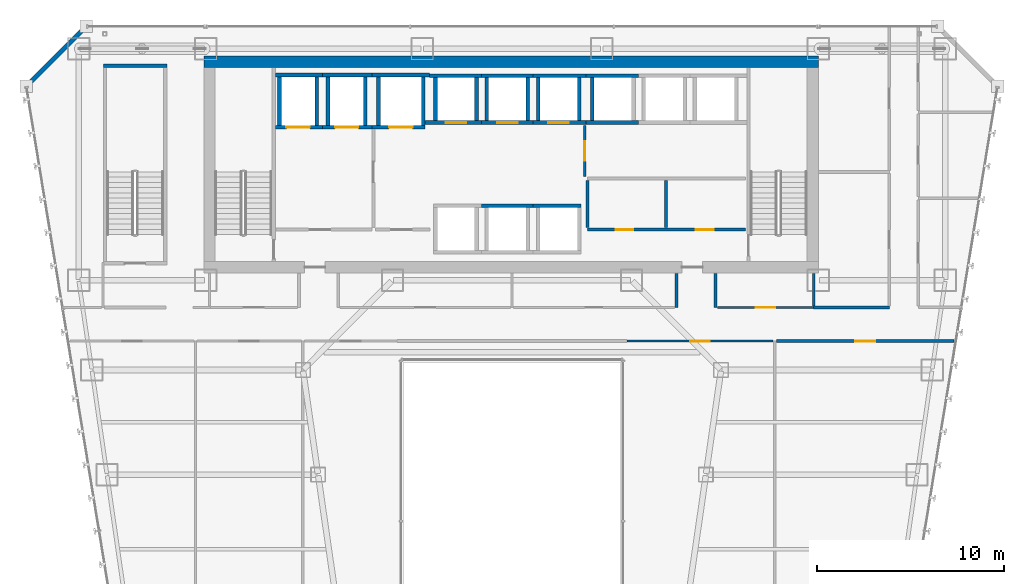
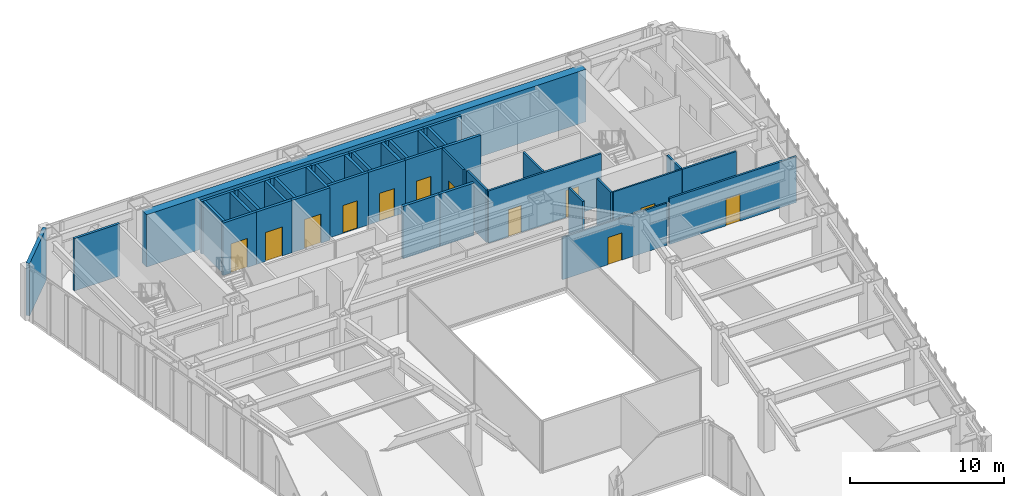
# One storey, part 37 of 47: 43 walls, 12 doors, 12 openings.
"""IFC4 building model written with IfcOpenShell, lengths in metres."""

from ifc_helpers import new_model, si_unit, direction, frame, frame_2d, origin, place, context, subcontext, project, spatial, rectangle, extrude, material, layer, layer_set, type_object, element, fill, save


model = new_model("IFC4")

# Units and contexts
model_context = context("Model", 3, precision=1e-05, world=origin(), true_north=direction((0.0, 1.0)))
body_context = subcontext(model_context, "Body", "Model", "MODEL_VIEW")
ifc_project = project(units=[si_unit("LENGTHUNIT", "METRE"), si_unit("AREAUNIT", "SQUARE_METRE"), si_unit("VOLUMEUNIT", "CUBIC_METRE"), si_unit("PLANEANGLEUNIT", "RADIAN"), si_unit("MASSUNIT", "GRAM", prefix="KILO")], contexts=[model_context])

# Site, building, storey
site_placement = place(None, origin())
site = spatial("IfcSite", under=ifc_project, at=site_placement, CompositionType="ELEMENT")
building_placement = place(site_placement, origin())
building = spatial("IfcBuilding", under=site, at=building_placement, Name="Saevonmaru Cultural Tower", CompositionType="ELEMENT")
storey_placement = place(building_placement, frame((0.0, 0.0, 51.60009765625)))
storey = spatial("IfcBuildingStorey", under=building, at=storey_placement, Name="L10", CompositionType="ELEMENT", Elevation=51.60009765625)

# Wall
ifc_material_1 = material(Name="Concrete C60/75", Category="concrete")
ifc_layer_1 = layer(ifc_material_1, 0.60009765625, Name="Concrete C60/75")
ifc_layer_set_1 = layer_set([ifc_layer_1], Name="Concrete C60/75")
wall_type_1 = type_object("IfcWallType", Name="WL-CORE-600", PredefinedType="SHEAR", material=ifc_layer_set_1)
wall_1_placement = place(storey_placement, frame((13.5, 54.10009765625, 0.0), z_axis=(0.0, 0.0, 1.0), x_axis=(1.0, 0.0, 0.0)))
element("IfcWall", 1, at=wall_1_placement, inside=storey, type_object=wall_type_1, Name="L10 Tower RC core shear wall N", PredefinedType="SHEAR", context=body_context, shape_type="SweptSolid", body=[
    extrude(rectangle(XDim=32.89990234375, YDim=0.60009765625, at=frame_2d((16.449951171875, 0.0))), origin(), (0.0, 0.0, 1.0), 4.14990234375),
])

# Wall, opening, door
ifc_material_2 = material(Name="Gypsum Fireboard Partition", Category="gypsum")
ifc_layer_2 = layer(ifc_material_2, 0.14990234375, Name="Gypsum Fireboard Partition")
ifc_layer_set_2 = layer_set([ifc_layer_2], Name="Gypsum Fireboard Partition")
wall_type_2 = type_object("IfcWallType", Name="WL-CORE-PART-150", PredefinedType="PARTITIONING", material=ifc_layer_set_2)
wall_2_placement = place(storey_placement, frame((33.89990234375, 47.949951171875, 0.0), z_axis=(0.0, 0.0, 1.0), x_axis=(0.0, 1.0, 0.0)))
wall_2 = element("IfcWall", 2, at=wall_2_placement, inside=storey, type_object=wall_type_2, Name="L10 Zone Lobby Divider", PredefinedType="PARTITIONING", context=body_context, shape_type="SweptSolid", body=[
    extrude(rectangle(XDim=2.75, YDim=0.14990234375, at=frame_2d((1.375, 0.0))), origin(), (0.0, 0.0, 1.0), 4.14990234375),
])
opening_1_placement = place(wall_2_placement, frame((0.85009765625, 0.0, 0.0)))
opening_1 = element("IfcOpeningElement", 3, at=opening_1_placement, cuts=wall_2, Name="Opening ID-1", PredefinedType="OPENING", context=body_context, shape_type="SweptSolid", body=[
    extrude(rectangle(XDim=1.050048828125, YDim=2.14990234375, at=frame_2d((0.52490234375, 1.074951171875))), frame((0.0, 0.0849609375, 0.0), z_axis=(0.0, -1.0, 0.0), x_axis=(1.0, 0.0, 0.0)), (0.0, 0.0, 1.0), 0.169921875),
])
ifc_material_3 = material(Name="Satin Bronze Anodised Aluminium", Category="aluminium")
door_type_1 = type_object("IfcDoorType", Name="DR-INT-1050", OperationType="SINGLE_SWING_LEFT", PredefinedType="DOOR", material=ifc_material_3)
door_1_placement = place(opening_1_placement, origin())
door_1 = element("IfcDoor", 4, at=door_1_placement, inside=storey, type_object=door_type_1, Name="L10 Inter-Lobby Link Door", OperationType="SINGLE_SWING_LEFT", OverallHeight=2.14990234375, OverallWidth=1.050048828125, PredefinedType="DOOR", context=body_context, shape_type="SweptSolid", body=[
    extrude(rectangle(XDim=1.050048828125, YDim=2.14990234375, at=frame_2d((0.52490234375, 1.074951171875))), frame((0.0, 0.02490234375, 0.0), z_axis=(0.0, -1.0, 0.0), x_axis=(1.0, 0.0, 0.0)), (0.0, 0.0, 1.0), 0.050048828125),
])
fill(opening_1, door_1)

# Wall, openings, doors
wall_3_placement = place(storey_placement, frame((34.050048828125, 45.1201171875, 0.0), z_axis=(0.0, 0.0, 1.0), x_axis=(1.0, 0.0, 0.0)))
wall_3 = element("IfcWall", 5, at=wall_3_placement, inside=storey, type_object=wall_type_2, Name="L10 Core Plant South Wall", PredefinedType="PARTITIONING", context=body_context, shape_type="SweptSolid", body=[
    extrude(rectangle(XDim=8.449951171875, YDim=0.14990234375, at=frame_2d((4.22509765625, 0.0))), origin(), (0.0, 0.0, 1.0), 4.14990234375),
])
opening_2_placement = place(wall_3_placement, frame((1.5, 0.0, 0.0)))
opening_2 = element("IfcOpeningElement", 6, at=opening_2_placement, cuts=wall_3, Name="Opening FD-4", PredefinedType="OPENING", context=body_context, shape_type="SweptSolid", body=[
    extrude(rectangle(XDim=0.949951171875, YDim=2.14990234375, at=frame_2d((0.47509765625, 1.074951171875))), frame((0.0, 0.0849609375, 0.0), z_axis=(0.0, -1.0, 0.0), x_axis=(1.0, 0.0, 0.0)), (0.0, 0.0, 1.0), 0.169921875),
])
opening_3_placement = place(wall_3_placement, frame((5.800048828125, 0.0, 0.0)))
opening_3 = element("IfcOpeningElement", 7, at=opening_3_placement, cuts=wall_3, Name="Opening FD-4", PredefinedType="OPENING", context=body_context, shape_type="SweptSolid", body=[
    extrude(rectangle(XDim=0.949951171875, YDim=2.14990234375, at=frame_2d((0.47509765625, 1.074951171875))), frame((0.0, 0.0849609375, 0.0), z_axis=(0.0, -1.0, 0.0), x_axis=(1.0, 0.0, 0.0)), (0.0, 0.0, 1.0), 0.169921875),
])
door_type_2 = type_object("IfcDoorType", Name="DR-FD60-950", OperationType="SINGLE_SWING_LEFT", PredefinedType="DOOR", material=ifc_material_3)
door_2_placement = place(opening_2_placement, origin())
door_2 = element("IfcDoor", 8, at=door_2_placement, inside=storey, type_object=door_type_2, Name="L10 Floor AHU Plant Door", OperationType="SINGLE_SWING_LEFT", OverallHeight=2.14990234375, OverallWidth=0.949951171875, PredefinedType="DOOR", context=body_context, shape_type="SweptSolid", body=[
    extrude(rectangle(XDim=0.949951171875, YDim=2.14990234375, at=frame_2d((0.47509765625, 1.074951171875))), frame((0.0, 0.02490234375, 0.0), z_axis=(0.0, -1.0, 0.0), x_axis=(1.0, 0.0, 0.0)), (0.0, 0.0, 1.0), 0.050048828125),
])
fill(opening_2, door_2)
door_3_placement = place(opening_3_placement, origin())
door_3 = element("IfcDoor", 9, at=door_3_placement, inside=storey, type_object=door_type_2, Name="L10 Housekeeping Storage Door", OperationType="SINGLE_SWING_LEFT", OverallHeight=2.14990234375, OverallWidth=0.949951171875, PredefinedType="DOOR", context=body_context, shape_type="SweptSolid", body=[
    extrude(rectangle(XDim=0.949951171875, YDim=2.14990234375, at=frame_2d((0.47509765625, 1.074951171875))), frame((0.0, 0.02490234375, 0.0), z_axis=(0.0, -1.0, 0.0), x_axis=(1.0, 0.0, 0.0)), (0.0, 0.0, 1.0), 0.050048828125),
])
fill(opening_3, door_3)

# Walls
for number, where, z_axis, x_axis, name in (
    (10, (38.25, 45.219970703125, 0.0), (0.0, 0.0, 1.0), (0.0, 1.0, 0.0), "L10 Core Plant Split"),
    (11, (34.050048828125, 45.219970703125, 0.0), (0.0, 0.0, 1.0), (0.0, 1.0, 0.0), "L10 Core Plant West Wall"),
):
    element("IfcWall", number, at=place(storey_placement, frame(where, z_axis=z_axis, x_axis=x_axis)), inside=storey, type_object=wall_type_2, Name=name, PredefinedType="PARTITIONING", context=body_context, shape_type="SweptSolid", body=[
        extrude(rectangle(XDim=2.530029296875, YDim=0.14990234375, at=frame_2d((1.26513671875, 0.0))), origin(), (0.0, 0.0, 1.0), 4.14990234375),
    ])
ifc_material_4 = material(Name="Granite-Clad Precast Concrete C40/50", Category="masonry")
ifc_layer_3 = layer(ifc_material_4, 0.260009765625, Name="Granite-Clad Precast Concrete C40/50")
ifc_layer_set_3 = layer_set([ifc_layer_3], Name="Granite-Clad Precast Concrete C40/50")
wall_type_3 = type_object("IfcWallType", Name="WL-EXT-SPANDREL-260", PredefinedType="STANDARD", material=ifc_layer_set_3)
wall_4_placement = place(storey_placement, frame((7.0869140625, 55.886962890625, 0.0), z_axis=(0.0, 0.0, 1.0), x_axis=(-0.707106781187, -0.707106781187, 0.0)))
element("IfcWall", 12, at=wall_4_placement, inside=storey, type_object=wall_type_3, Name="L10 Chamfer Corner Spandrel Wall E11", PredefinedType="STANDARD", context=body_context, shape_type="SweptSolid", body=[
    extrude(rectangle(XDim=4.205810546875, YDim=0.260009765625, at=frame_2d((2.10302734375, 0.0))), origin(), (0.0, 0.0, 1.0), 4.14990234375),
])
ifc_layer_4 = layer(ifc_material_2, 0.14990234375, Name="Gypsum Fireboard Partition")
ifc_layer_set_4 = layer_set([ifc_layer_4], Name="Gypsum Fireboard Partition")
wall_type_4 = type_object("IfcWallType", Name="WL-PART-FIRE-150", PredefinedType="PARTITIONING", material=ifc_layer_set_4)
for number, where, z_axis, x_axis, name in (
    (13, (38.800048828125, 40.949951171875, 0.0), (0.0, 0.0, 1.0), (0.0, 1.0, 0.0), "L10 Core Portal Side Wall E1"),
    (14, (40.89990234375, 40.949951171875, 0.0), (0.0, 0.0, 1.0), (0.0, 1.0, 0.0), "L10 Core Portal Side Wall E2"),
):
    element("IfcWall", number, at=place(storey_placement, frame(where, z_axis=z_axis, x_axis=x_axis)), inside=storey, type_object=wall_type_4, Name=name, PredefinedType="PARTITIONING", context=body_context, shape_type="SweptSolid", body=[
        extrude(rectangle(XDim=1.830078125, YDim=0.14990234375, at=frame_2d((0.9150390625, 0.0))), origin(), (0.0, 0.0, 1.0), 4.14990234375),
    ])

# Wall, opening, door
wall_5_placement = place(storey_placement, frame((44.157470703125, 39.14990234375, 0.0), z_axis=(0.0, 0.0, 1.0), x_axis=(1.0, 0.0, 0.0)))
wall_5 = element("IfcWall", 15, at=wall_5_placement, inside=storey, type_object=wall_type_4, Name="L10 Special Collections Gallery Corridor Wall", PredefinedType="PARTITIONING", context=body_context, shape_type="SweptSolid", body=[
    extrude(rectangle(XDim=9.508544921875, YDim=0.14990234375, at=frame_2d((4.75439453125, 0.0))), origin(), (0.0, 0.0, 1.0), 3.635009765625),
])
opening_4_placement = place(wall_5_placement, frame((4.22900390625, 0.0, 0.0)))
opening_4 = element("IfcOpeningElement", 16, at=opening_4_placement, cuts=wall_5, Name="Opening ID-1", PredefinedType="OPENING", context=body_context, shape_type="SweptSolid", body=[
    extrude(rectangle(XDim=1.050048828125, YDim=2.14990234375, at=frame_2d((0.52490234375, 1.074951171875))), frame((0.0, 0.0849609375, 0.0), z_axis=(0.0, -1.0, 0.0), x_axis=(1.0, 0.0, 0.0)), (0.0, 0.0, 1.0), 0.169921875),
])
door_4_placement = place(opening_4_placement, origin())
door_4 = element("IfcDoor", 17, at=door_4_placement, inside=storey, type_object=door_type_1, Name="L10 Special Collections Gallery Door", OperationType="SINGLE_SWING_LEFT", OverallHeight=2.14990234375, OverallWidth=1.050048828125, PredefinedType="DOOR", context=body_context, shape_type="SweptSolid", body=[
    extrude(rectangle(XDim=1.050048828125, YDim=2.14990234375, at=frame_2d((0.52490234375, 1.074951171875))), frame((0.0, 0.02490234375, 0.0), z_axis=(0.0, -1.0, 0.0), x_axis=(1.0, 0.0, 0.0)), (0.0, 0.0, 1.0), 0.050048828125),
])
fill(opening_4, door_4)

ifc_layer_5 = layer(ifc_material_2, 0.1201171875, Name="Gypsum Fireboard Partition")
ifc_layer_set_5 = layer_set([ifc_layer_5], Name="Gypsum Fireboard Partition")
wall_type_5 = type_object("IfcWallType", Name="WL-PART-GYP-120", PredefinedType="PARTITIONING", material=ifc_layer_set_5)
wall_6_placement = place(storey_placement, frame((40.9951171875, 40.949951171875, 0.0), z_axis=(0.0, 0.0, 1.0), x_axis=(1.0, 0.0, 0.0)))
wall_6 = element("IfcWall", 18, at=wall_6_placement, inside=storey, type_object=wall_type_5, Name="L10 Periodical Reading Room Corridor Wall", PredefinedType="PARTITIONING", context=body_context, shape_type="SweptSolid", body=[
    extrude(rectangle(XDim=5.15478515625, YDim=0.1201171875, at=frame_2d((2.577392578125, 0.0))), origin(), (0.0, 0.0, 1.0), 4.14990234375),
])
opening_5_placement = place(wall_6_placement, frame((2.052978515625, 0.0, 0.0)))
opening_5 = element("IfcOpeningElement", 19, at=opening_5_placement, cuts=wall_6, Name="Opening ID-1", PredefinedType="OPENING", context=body_context, shape_type="SweptSolid", body=[
    extrude(rectangle(XDim=1.050048828125, YDim=2.14990234375, at=frame_2d((0.52490234375, 1.074951171875))), frame((0.0, 0.070068359375, 0.0), z_axis=(0.0, -1.0, 0.0), x_axis=(1.0, 0.0, 0.0)), (0.0, 0.0, 1.0), 0.14013671875),
])
door_5_placement = place(opening_5_placement, origin())
door_5 = element("IfcDoor", 20, at=door_5_placement, inside=storey, type_object=door_type_1, Name="L10 Periodical Reading Room Door", OperationType="SINGLE_SWING_RIGHT", OverallHeight=2.14990234375, OverallWidth=1.050048828125, PredefinedType="DOOR", context=body_context, shape_type="SweptSolid", body=[
    extrude(rectangle(XDim=1.050048828125, YDim=2.14990234375, at=frame_2d((0.52490234375, 1.074951171875))), frame((0.0, 0.02490234375, 0.0), z_axis=(0.0, -1.0, 0.0), x_axis=(1.0, 0.0, 0.0)), (0.0, 0.0, 1.0), 0.050048828125),
])
fill(opening_5, door_5)

wall_7_placement = place(storey_placement, frame((36.14990234375, 39.14990234375, 0.0), z_axis=(0.0, 0.0, 1.0), x_axis=(1.0, 0.0, 0.0)))
wall_7 = element("IfcWall", 21, at=wall_7_placement, inside=storey, type_object=wall_type_5, Name="L10 Periodical Reading Room Corridor Wall", PredefinedType="PARTITIONING", context=body_context, shape_type="SweptSolid", body=[
    extrude(rectangle(XDim=7.83251953125, YDim=0.1201171875, at=frame_2d((3.916259765625, 0.0))), origin(), (0.0, 0.0, 1.0), 3.3349609375),
])
opening_6_placement = place(wall_7_placement, frame((3.39111328125, 0.0, 0.0)))
opening_6 = element("IfcOpeningElement", 22, at=opening_6_placement, cuts=wall_7, Name="Opening ID-1", PredefinedType="OPENING", context=body_context, shape_type="SweptSolid", body=[
    extrude(rectangle(XDim=1.050048828125, YDim=2.14990234375, at=frame_2d((0.52490234375, 1.074951171875))), frame((0.0, 0.070068359375, 0.0), z_axis=(0.0, -1.0, 0.0), x_axis=(1.0, 0.0, 0.0)), (0.0, 0.0, 1.0), 0.14013671875),
])
door_6_placement = place(opening_6_placement, origin())
door_6 = element("IfcDoor", 23, at=door_6_placement, inside=storey, type_object=door_type_1, Name="L10 Periodical Reading Room Door", OperationType="SINGLE_SWING_RIGHT", OverallHeight=2.14990234375, OverallWidth=1.050048828125, PredefinedType="DOOR", context=body_context, shape_type="SweptSolid", body=[
    extrude(rectangle(XDim=1.050048828125, YDim=2.14990234375, at=frame_2d((0.52490234375, 1.074951171875))), frame((0.0, 0.02490234375, 0.0), z_axis=(0.0, -1.0, 0.0), x_axis=(1.0, 0.0, 0.0)), (0.0, 0.0, 1.0), 0.050048828125),
])
fill(opening_6, door_6)

# Walls
ifc_layer_6 = layer(ifc_material_2, 0.139892578125, Name="Gypsum Fireboard Partition")
ifc_layer_set_6 = layer_set([ifc_layer_6], Name="Gypsum Fireboard Partition")
wall_type_6 = type_object("IfcWallType", Name="WL-PART-WET-140", PredefinedType="PARTITIONING", material=ifc_layer_set_6)
wall_8_placement = place(storey_placement, frame((46.14990234375, 40.949951171875, 0.0), z_axis=(0.0, 0.0, 1.0), x_axis=(1.0, 0.0, 0.0)))
element("IfcWall", 24, at=wall_8_placement, inside=storey, type_object=wall_type_6, Name="L10 Washroom South Wall", PredefinedType="PARTITIONING", context=body_context, shape_type="SweptSolid", body=[
    extrude(rectangle(XDim=4.050048828125, YDim=0.139892578125, at=frame_2d((2.02490234375, 0.0))), origin(), (0.0, 0.0, 1.0), 4.14990234375),
])
wall_9_placement = place(storey_placement, frame((46.14990234375, 41.0400390625, 0.0), z_axis=(0.0, 0.0, 1.0), x_axis=(0.0, 1.0, 0.0)))
element("IfcWall", 25, at=wall_9_placement, inside=storey, type_object=wall_type_6, Name="L10 Washroom South-West Return", PredefinedType="PARTITIONING", context=body_context, shape_type="SweptSolid", body=[
    extrude(rectangle(XDim=1.739990234375, YDim=0.139892578125, at=frame_2d((0.8701171875, 0.0))), origin(), (0.0, 0.0, 1.0), 4.14990234375),
])

# Wall, opening, door
ifc_material_5 = material(Name="Concrete C40/50", Category="concrete")
ifc_layer_7 = layer(ifc_material_5, 0.199951171875, Name="Concrete C40/50")
ifc_layer_set_7 = layer_set([ifc_layer_7], Name="Concrete C40/50")
wall_type_7 = type_object("IfcWallType", Name="WL-SHAFT-200", PredefinedType="SHEAR", material=ifc_layer_set_7)
wall_10_placement = place(storey_placement, frame((17.330078125, 50.60009765625, 0.0), z_axis=(0.0, 0.0, 1.0), x_axis=(1.0, 0.0, 0.0)))
wall_10 = element("IfcWall", 26, at=wall_10_placement, inside=storey, type_object=wall_type_7, Name="L10 Lift FFL-1 Hoistway Wall S", PredefinedType="SHEAR", context=body_context, shape_type="SweptSolid", body=[
    extrude(rectangle(XDim=2.52001953125, YDim=0.199951171875, at=frame_2d((1.260009765625, 0.0))), origin(), (0.0, 0.0, 1.0), 4.14990234375),
])
opening_7_placement = place(wall_10_placement, frame((0.594970703125, 0.0, 0.0)))
opening_7 = element("IfcOpeningElement", 27, at=opening_7_placement, cuts=wall_10, Name="Opening LD-2", PredefinedType="OPENING", context=body_context, shape_type="SweptSolid", body=[
    extrude(rectangle(XDim=1.25, YDim=2.300048828125, at=frame_2d((0.625, 1.14990234375))), frame((0.0, 0.10986328125, 0.0), z_axis=(0.0, -1.0, 0.0), x_axis=(1.0, 0.0, 0.0)), (0.0, 0.0, 1.0), 0.219970703125),
])
ifc_material_6 = material(Name="Stainless Steel 316", Category="steel")
door_type_3 = type_object("IfcDoorType", Name="DR-LIFT-1250", OperationType="SLIDING_TO_LEFT", PredefinedType="DOOR", material=ifc_material_6)
door_7_placement = place(opening_7_placement, origin())
door_7 = element("IfcDoor", 28, at=door_7_placement, inside=storey, type_object=door_type_3, Name="L10 Lift FFL-1 Sliding Landing Door", OperationType="SLIDING_TO_LEFT", OverallHeight=2.300048828125, OverallWidth=1.25, PredefinedType="DOOR", context=body_context, shape_type="SweptSolid", body=[
    extrude(rectangle(XDim=1.25, YDim=2.300048828125, at=frame_2d((0.625, 1.14990234375))), frame((0.0, 0.02490234375, 0.0), z_axis=(0.0, -1.0, 0.0), x_axis=(1.0, 0.0, 0.0)), (0.0, 0.0, 1.0), 0.050048828125),
])
fill(opening_7, door_7)

# Walls
wall_11_placement = place(storey_placement, frame((17.330078125, 53.39990234375, 0.0), z_axis=(0.0, 0.0, 1.0), x_axis=(1.0, 0.0, 0.0)))
element("IfcWall", 29, at=wall_11_placement, inside=storey, type_object=wall_type_7, Name="L10 Lift FFL-1 Hoistway Wall N", PredefinedType="SHEAR", context=body_context, shape_type="SweptSolid", body=[
    extrude(rectangle(XDim=2.52001953125, YDim=0.199951171875, at=frame_2d((1.260009765625, 0.0))), origin(), (0.0, 0.0, 1.0), 4.14990234375),
])
for number, where, z_axis, x_axis, name in (
    (30, (17.550048828125, 50.699951171875, 0.0), (0.0, 0.0, 1.0), (0.0, 1.0, 0.0), "L10 Lift FFL-1 Hoistway Wall W"),
    (31, (19.550048828125, 50.699951171875, 0.0), (0.0, 0.0, 1.0), (0.0, 1.0, 0.0), "L10 Lift FFL-1 Hoistway Wall E"),
):
    element("IfcWall", number, at=place(storey_placement, frame(where, z_axis=z_axis, x_axis=x_axis)), inside=storey, type_object=wall_type_7, Name=name, PredefinedType="SHEAR", context=body_context, shape_type="SweptSolid", body=[
        extrude(rectangle(XDim=2.60009765625, YDim=0.199951171875, at=frame_2d((1.300048828125, 0.0))), origin(), (0.0, 0.0, 1.0), 4.14990234375),
    ])

# Wall, opening, door
wall_12_placement = place(storey_placement, frame((19.85009765625, 50.60009765625, 0.0), z_axis=(0.0, 0.0, 1.0), x_axis=(1.0, 0.0, 0.0)))
wall_12 = element("IfcWall", 32, at=wall_12_placement, inside=storey, type_object=wall_type_7, Name="L10 Lift FFL-2 Hoistway Wall S", PredefinedType="SHEAR", context=body_context, shape_type="SweptSolid", body=[
    extrude(rectangle(XDim=2.64990234375, YDim=0.199951171875, at=frame_2d((1.324951171875, 0.0))), origin(), (0.0, 0.0, 1.0), 4.14990234375),
])
opening_8_placement = place(wall_12_placement, frame((0.675048828125, 0.0, 0.0)))
opening_8 = element("IfcOpeningElement", 33, at=opening_8_placement, cuts=wall_12, Name="Opening LD-2", PredefinedType="OPENING", context=body_context, shape_type="SweptSolid", body=[
    extrude(rectangle(XDim=1.25, YDim=2.300048828125, at=frame_2d((0.625, 1.14990234375))), frame((0.0, 0.10986328125, 0.0), z_axis=(0.0, -1.0, 0.0), x_axis=(1.0, 0.0, 0.0)), (0.0, 0.0, 1.0), 0.219970703125),
])
door_8_placement = place(opening_8_placement, origin())
door_8 = element("IfcDoor", 34, at=door_8_placement, inside=storey, type_object=door_type_3, Name="L10 Lift FFL-2 Sliding Landing Door", OperationType="SLIDING_TO_LEFT", OverallHeight=2.300048828125, OverallWidth=1.25, PredefinedType="DOOR", context=body_context, shape_type="SweptSolid", body=[
    extrude(rectangle(XDim=1.25, YDim=2.300048828125, at=frame_2d((0.625, 1.14990234375))), frame((0.0, 0.02490234375, 0.0), z_axis=(0.0, -1.0, 0.0), x_axis=(1.0, 0.0, 0.0)), (0.0, 0.0, 1.0), 0.050048828125),
])
fill(opening_8, door_8)

# Walls
wall_13_placement = place(storey_placement, frame((19.85009765625, 53.39990234375, 0.0), z_axis=(0.0, 0.0, 1.0), x_axis=(1.0, 0.0, 0.0)))
element("IfcWall", 35, at=wall_13_placement, inside=storey, type_object=wall_type_7, Name="L10 Lift FFL-2 Hoistway Wall N", PredefinedType="SHEAR", context=body_context, shape_type="SweptSolid", body=[
    extrude(rectangle(XDim=2.64990234375, YDim=0.199951171875, at=frame_2d((1.324951171875, 0.0))), origin(), (0.0, 0.0, 1.0), 4.14990234375),
])
for number, where, z_axis, x_axis, name in (
    (36, (20.14990234375, 50.699951171875, 0.0), (0.0, 0.0, 1.0), (0.0, 1.0, 0.0), "L10 Lift FFL-2 Hoistway Wall W"),
    (37, (22.14990234375, 50.699951171875, 0.0), (0.0, 0.0, 1.0), (0.0, 1.0, 0.0), "L10 Lift FFL-2 Hoistway Wall E"),
):
    element("IfcWall", number, at=place(storey_placement, frame(where, z_axis=z_axis, x_axis=x_axis)), inside=storey, type_object=wall_type_7, Name=name, PredefinedType="SHEAR", context=body_context, shape_type="SweptSolid", body=[
        extrude(rectangle(XDim=2.60009765625, YDim=0.199951171875, at=frame_2d((1.300048828125, 0.0))), origin(), (0.0, 0.0, 1.0), 4.14990234375),
    ])

# Wall, opening, door
wall_14_placement = place(storey_placement, frame((22.5, 50.60009765625, 0.0), z_axis=(0.0, 0.0, 1.0), x_axis=(1.0, 0.0, 0.0)))
wall_14 = element("IfcWall", 38, at=wall_14_placement, inside=storey, type_object=wall_type_7, Name="L10 Lift GL-1 Hoistway Wall S", PredefinedType="SHEAR", context=body_context, shape_type="SweptSolid", body=[
    extrude(rectangle(XDim=2.85009765625, YDim=0.199951171875, at=frame_2d((1.425048828125, 0.0))), origin(), (0.0, 0.0, 1.0), 4.14990234375),
])
opening_9_placement = place(wall_14_placement, frame((0.925048828125, 0.0, 0.0)))
opening_9 = element("IfcOpeningElement", 39, at=opening_9_placement, cuts=wall_14, Name="Opening LD-2", PredefinedType="OPENING", context=body_context, shape_type="SweptSolid", body=[
    extrude(rectangle(XDim=1.25, YDim=2.300048828125, at=frame_2d((0.625, 1.14990234375))), frame((0.0, 0.10986328125, 0.0), z_axis=(0.0, -1.0, 0.0), x_axis=(1.0, 0.0, 0.0)), (0.0, 0.0, 1.0), 0.219970703125),
])
door_9_placement = place(opening_9_placement, origin())
door_9 = element("IfcDoor", 40, at=door_9_placement, inside=storey, type_object=door_type_3, Name="L10 Lift GL-1 Sliding Landing Door", OperationType="SLIDING_TO_LEFT", OverallHeight=2.300048828125, OverallWidth=1.25, PredefinedType="DOOR", context=body_context, shape_type="SweptSolid", body=[
    extrude(rectangle(XDim=1.25, YDim=2.300048828125, at=frame_2d((0.625, 1.14990234375))), frame((0.0, 0.02490234375, 0.0), z_axis=(0.0, -1.0, 0.0), x_axis=(1.0, 0.0, 0.0)), (0.0, 0.0, 1.0), 0.050048828125),
])
fill(opening_9, door_9)

# Walls
wall_15_placement = place(storey_placement, frame((22.5, 53.39990234375, 0.0), z_axis=(0.0, 0.0, 1.0), x_axis=(1.0, 0.0, 0.0)))
element("IfcWall", 41, at=wall_15_placement, inside=storey, type_object=wall_type_7, Name="L10 Lift GL-1 Hoistway Wall N", PredefinedType="SHEAR", context=body_context, shape_type="SweptSolid", body=[
    extrude(rectangle(XDim=3.074951171875, YDim=0.199951171875, at=frame_2d((1.53759765625, 0.0))), origin(), (0.0, 0.0, 1.0), 4.14990234375),
])
for number, where, z_axis, x_axis, name in (
    (42, (22.85009765625, 50.699951171875, 0.0), (0.0, 0.0, 1.0), (0.0, 1.0, 0.0), "L10 Lift GL-1 Hoistway Wall W"),
    (43, (25.25, 50.699951171875, 0.0), (0.0, 0.0, 1.0), (0.0, 1.0, 0.0), "L10 Lift GL-1 Hoistway Wall E"),
):
    element("IfcWall", number, at=place(storey_placement, frame(where, z_axis=z_axis, x_axis=x_axis)), inside=storey, type_object=wall_type_7, Name=name, PredefinedType="SHEAR", context=body_context, shape_type="SweptSolid", body=[
        extrude(rectangle(XDim=2.60009765625, YDim=0.199951171875, at=frame_2d((1.300048828125, 0.0))), origin(), (0.0, 0.0, 1.0), 4.14990234375),
    ])

# Wall, opening, door
wall_16_placement = place(storey_placement, frame((25.35009765625, 50.85009765625, 0.0), z_axis=(0.0, 0.0, 1.0), x_axis=(1.0, 0.0, 0.0)))
wall_16 = element("IfcWall", 44, at=wall_16_placement, inside=storey, type_object=wall_type_7, Name="L10 Lift PL-L1 Hoistway Wall S", PredefinedType="SHEAR", context=body_context, shape_type="SweptSolid", body=[
    extrude(rectangle(XDim=3.02490234375, YDim=0.199951171875, at=frame_2d((1.512451171875, 0.0))), origin(), (0.0, 0.0, 1.0), 4.14990234375),
])
opening_10_placement = place(wall_16_placement, frame((1.10009765625, 0.0, 0.0)))
opening_10 = element("IfcOpeningElement", 45, at=opening_10_placement, cuts=wall_16, Name="Opening LD-1", PredefinedType="OPENING", context=body_context, shape_type="SweptSolid", body=[
    extrude(rectangle(XDim=1.10009765625, YDim=2.199951171875, at=frame_2d((0.550048828125, 1.10009765625))), frame((0.0, 0.10986328125, 0.0), z_axis=(0.0, -1.0, 0.0), x_axis=(1.0, 0.0, 0.0)), (0.0, 0.0, 1.0), 0.219970703125),
])
ifc_material_7 = material(Name="Satin Bronze Stainless Steel", Category="steel")
door_type_4 = type_object("IfcDoorType", Name="DR-LIFT-1100", OperationType="SLIDING_TO_LEFT", PredefinedType="DOOR", material=ifc_material_7)
door_10_placement = place(opening_10_placement, origin())
door_10 = element("IfcDoor", 46, at=door_10_placement, inside=storey, type_object=door_type_4, Name="L10 Lift PL-L1 Sliding Landing Door", OperationType="SLIDING_TO_LEFT", OverallHeight=2.199951171875, OverallWidth=1.10009765625, PredefinedType="DOOR", context=body_context, shape_type="SweptSolid", body=[
    extrude(rectangle(XDim=1.10009765625, YDim=2.199951171875, at=frame_2d((0.550048828125, 1.10009765625))), frame((0.0, 0.02490234375, 0.0), z_axis=(0.0, -1.0, 0.0), x_axis=(1.0, 0.0, 0.0)), (0.0, 0.0, 1.0), 0.050048828125),
])
fill(opening_10, door_10)

# Walls
wall_17_placement = place(storey_placement, frame((25.574951171875, 53.35009765625, 0.0), z_axis=(0.0, 0.0, 1.0), x_axis=(1.0, 0.0, 0.0)))
element("IfcWall", 47, at=wall_17_placement, inside=storey, type_object=wall_type_7, Name="L10 Lift PL-L1 Hoistway Wall N", PredefinedType="SHEAR", context=body_context, shape_type="SweptSolid", body=[
    extrude(rectangle(XDim=2.800048828125, YDim=0.199951171875, at=frame_2d((1.39990234375, 0.0))), origin(), (0.0, 0.0, 1.0), 4.14990234375),
])
for number, where, z_axis, x_axis, name in (
    (48, (25.89990234375, 50.949951171875, 0.0), (0.0, 0.0, 1.0), (0.0, 1.0, 0.0), "L10 Lift PL-L1 Hoistway Wall W"),
    (49, (28.10009765625, 50.949951171875, 0.0), (0.0, 0.0, 1.0), (0.0, 1.0, 0.0), "L10 Lift PL-L1 Hoistway Wall E"),
):
    element("IfcWall", number, at=place(storey_placement, frame(where, z_axis=z_axis, x_axis=x_axis)), inside=storey, type_object=wall_type_7, Name=name, PredefinedType="SHEAR", context=body_context, shape_type="SweptSolid", body=[
        extrude(rectangle(XDim=2.300048828125, YDim=0.199951171875, at=frame_2d((1.14990234375, 0.0))), origin(), (0.0, 0.0, 1.0), 4.14990234375),
    ])

# Wall, opening, door
wall_18_placement = place(storey_placement, frame((28.375, 50.85009765625, 0.0), z_axis=(0.0, 0.0, 1.0), x_axis=(1.0, 0.0, 0.0)))
wall_18 = element("IfcWall", 50, at=wall_18_placement, inside=storey, type_object=wall_type_7, Name="L10 Lift PL-L2 Hoistway Wall S", PredefinedType="SHEAR", context=body_context, shape_type="SweptSolid", body=[
    extrude(rectangle(XDim=2.75, YDim=0.199951171875, at=frame_2d((1.375, 0.0))), origin(), (0.0, 0.0, 1.0), 4.14990234375),
])
opening_11_placement = place(wall_18_placement, frame((0.824951171875, 0.0, 0.0)))
opening_11 = element("IfcOpeningElement", 51, at=opening_11_placement, cuts=wall_18, Name="Opening LD-1", PredefinedType="OPENING", context=body_context, shape_type="SweptSolid", body=[
    extrude(rectangle(XDim=1.10009765625, YDim=2.199951171875, at=frame_2d((0.550048828125, 1.10009765625))), frame((0.0, 0.10986328125, 0.0), z_axis=(0.0, -1.0, 0.0), x_axis=(1.0, 0.0, 0.0)), (0.0, 0.0, 1.0), 0.219970703125),
])
door_11_placement = place(opening_11_placement, origin())
door_11 = element("IfcDoor", 52, at=door_11_placement, inside=storey, type_object=door_type_4, Name="L10 Lift PL-L2 Sliding Landing Door", OperationType="SLIDING_TO_LEFT", OverallHeight=2.199951171875, OverallWidth=1.10009765625, PredefinedType="DOOR", context=body_context, shape_type="SweptSolid", body=[
    extrude(rectangle(XDim=1.10009765625, YDim=2.199951171875, at=frame_2d((0.550048828125, 1.10009765625))), frame((0.0, 0.02490234375, 0.0), z_axis=(0.0, -1.0, 0.0), x_axis=(1.0, 0.0, 0.0)), (0.0, 0.0, 1.0), 0.050048828125),
])
fill(opening_11, door_11)

# Walls
wall_19_placement = place(storey_placement, frame((28.375, 53.35009765625, 0.0), z_axis=(0.0, 0.0, 1.0), x_axis=(1.0, 0.0, 0.0)))
element("IfcWall", 53, at=wall_19_placement, inside=storey, type_object=wall_type_7, Name="L10 Lift PL-L2 Hoistway Wall N", PredefinedType="SHEAR", context=body_context, shape_type="SweptSolid", body=[
    extrude(rectangle(XDim=2.75, YDim=0.199951171875, at=frame_2d((1.375, 0.0))), origin(), (0.0, 0.0, 1.0), 4.14990234375),
])
for number, where, z_axis, x_axis, name in (
    (54, (28.64990234375, 50.949951171875, 0.0), (0.0, 0.0, 1.0), (0.0, 1.0, 0.0), "L10 Lift PL-L2 Hoistway Wall W"),
    (55, (30.85009765625, 50.949951171875, 0.0), (0.0, 0.0, 1.0), (0.0, 1.0, 0.0), "L10 Lift PL-L2 Hoistway Wall E"),
):
    element("IfcWall", number, at=place(storey_placement, frame(where, z_axis=z_axis, x_axis=x_axis)), inside=storey, type_object=wall_type_7, Name=name, PredefinedType="SHEAR", context=body_context, shape_type="SweptSolid", body=[
        extrude(rectangle(XDim=2.300048828125, YDim=0.199951171875, at=frame_2d((1.14990234375, 0.0))), origin(), (0.0, 0.0, 1.0), 4.14990234375),
    ])

# Wall, opening, door
wall_20_placement = place(storey_placement, frame((31.125, 50.85009765625, 0.0), z_axis=(0.0, 0.0, 1.0), x_axis=(1.0, 0.0, 0.0)))
wall_20 = element("IfcWall", 56, at=wall_20_placement, inside=storey, type_object=wall_type_7, Name="L10 Lift PL-L3 Hoistway Wall S", PredefinedType="SHEAR", context=body_context, shape_type="SweptSolid", body=[
    extrude(rectangle(XDim=2.824951171875, YDim=0.199951171875, at=frame_2d((1.41259765625, 0.0))), origin(), (0.0, 0.0, 1.0), 4.14990234375),
])
opening_12_placement = place(wall_20_placement, frame((0.824951171875, 0.0, 0.0)))
opening_12 = element("IfcOpeningElement", 57, at=opening_12_placement, cuts=wall_20, Name="Opening LD-1", PredefinedType="OPENING", context=body_context, shape_type="SweptSolid", body=[
    extrude(rectangle(XDim=1.10009765625, YDim=2.199951171875, at=frame_2d((0.550048828125, 1.10009765625))), frame((0.0, 0.10986328125, 0.0), z_axis=(0.0, -1.0, 0.0), x_axis=(1.0, 0.0, 0.0)), (0.0, 0.0, 1.0), 0.219970703125),
])
door_12_placement = place(opening_12_placement, origin())
door_12 = element("IfcDoor", 58, at=door_12_placement, inside=storey, type_object=door_type_4, Name="L10 Lift PL-L3 Sliding Landing Door", OperationType="SLIDING_TO_LEFT", OverallHeight=2.199951171875, OverallWidth=1.10009765625, PredefinedType="DOOR", context=body_context, shape_type="SweptSolid", body=[
    extrude(rectangle(XDim=1.10009765625, YDim=2.199951171875, at=frame_2d((0.550048828125, 1.10009765625))), frame((0.0, 0.02490234375, 0.0), z_axis=(0.0, -1.0, 0.0), x_axis=(1.0, 0.0, 0.0)), (0.0, 0.0, 1.0), 0.050048828125),
])
fill(opening_12, door_12)

# Walls
wall_21_placement = place(storey_placement, frame((31.125, 53.35009765625, 0.0), z_axis=(0.0, 0.0, 1.0), x_axis=(1.0, 0.0, 0.0)))
element("IfcWall", 59, at=wall_21_placement, inside=storey, type_object=wall_type_7, Name="L10 Lift PL-L3 Hoistway Wall N", PredefinedType="SHEAR", context=body_context, shape_type="SweptSolid", body=[
    extrude(rectangle(XDim=2.824951171875, YDim=0.199951171875, at=frame_2d((1.41259765625, 0.0))), origin(), (0.0, 0.0, 1.0), 4.14990234375),
])
for number, where, z_axis, x_axis, name in (
    (60, (31.39990234375, 50.949951171875, 0.0), (0.0, 0.0, 1.0), (0.0, 1.0, 0.0), "L10 Lift PL-L3 Hoistway Wall W"),
    (61, (33.60009765625, 50.949951171875, 0.0), (0.0, 0.0, 1.0), (0.0, 1.0, 0.0), "L10 Lift PL-L3 Hoistway Wall E"),
):
    element("IfcWall", number, at=place(storey_placement, frame(where, z_axis=z_axis, x_axis=x_axis)), inside=storey, type_object=wall_type_7, Name=name, PredefinedType="SHEAR", context=body_context, shape_type="SweptSolid", body=[
        extrude(rectangle(XDim=2.300048828125, YDim=0.199951171875, at=frame_2d((1.14990234375, 0.0))), origin(), (0.0, 0.0, 1.0), 4.14990234375),
    ])
wall_22_placement = place(storey_placement, frame((28.375, 46.39990234375, 0.0), z_axis=(0.0, 0.0, 1.0), x_axis=(1.0, 0.0, 0.0)))
element("IfcWall", 62, at=wall_22_placement, inside=storey, type_object=wall_type_7, Name="L10 Lift PL-M2 Hoistway Wall N", PredefinedType="SHEAR", context=body_context, shape_type="SweptSolid", body=[
    extrude(rectangle(XDim=2.75, YDim=0.199951171875, at=frame_2d((1.375, 0.0))), origin(), (0.0, 0.0, 1.0), 4.14990234375),
])
wall_23_placement = place(storey_placement, frame((31.125, 46.39990234375, 0.0), z_axis=(0.0, 0.0, 1.0), x_axis=(1.0, 0.0, 0.0)))
element("IfcWall", 63, at=wall_23_placement, inside=storey, type_object=wall_type_7, Name="L10 Lift PL-M3 Hoistway Wall N", PredefinedType="SHEAR", context=body_context, shape_type="SweptSolid", body=[
    extrude(rectangle(XDim=2.574951171875, YDim=0.199951171875, at=frame_2d((1.28759765625, 0.0))), origin(), (0.0, 0.0, 1.0), 4.14990234375),
])
for number, where, z_axis, x_axis, name in (
    (64, (33.949951171875, 50.85009765625, 0.0), (0.0, 0.0, 1.0), (1.0, 0.0, 0.0), "L10 Lift PL-H1 Hoistway Wall S"),
    (65, (33.949951171875, 53.35009765625, 0.0), (0.0, 0.0, 1.0), (1.0, 0.0, 0.0), "L10 Lift PL-H1 Hoistway Wall N"),
):
    element("IfcWall", number, at=place(storey_placement, frame(where, z_axis=z_axis, x_axis=x_axis)), inside=storey, type_object=wall_type_7, Name=name, PredefinedType="SHEAR", context=body_context, shape_type="SweptSolid", body=[
        extrude(rectangle(XDim=2.824951171875, YDim=0.199951171875, at=frame_2d((1.41259765625, 0.0))), origin(), (0.0, 0.0, 1.0), 4.14990234375),
    ])
wall_24_placement = place(storey_placement, frame((34.300048828125, 50.949951171875, 0.0), z_axis=(0.0, 0.0, 1.0), x_axis=(0.0, 1.0, 0.0)))
element("IfcWall", 66, at=wall_24_placement, inside=storey, type_object=wall_type_7, Name="L10 Lift PL-H1 Hoistway Wall W", PredefinedType="SHEAR", context=body_context, shape_type="SweptSolid", body=[
    extrude(rectangle(XDim=2.300048828125, YDim=0.199951171875, at=frame_2d((1.14990234375, 0.0))), origin(), (0.0, 0.0, 1.0), 4.14990234375),
])
ifc_layer_8 = layer(ifc_material_5, 0.179931640625, Name="Concrete C40/50")
ifc_layer_set_8 = layer_set([ifc_layer_8], Name="Concrete C40/50")
wall_type_8 = type_object("IfcWallType", Name="WL-STSHAFT-180", PredefinedType="SHEAR", material=ifc_layer_set_8)
wall_25_placement = place(storey_placement, frame((11.530029296875, 53.889892578125, 0.0), z_axis=(0.0, 0.0, 1.0), x_axis=(-1.0, 0.0, 0.0)))
element("IfcWall", 67, at=wall_25_placement, inside=storey, type_object=wall_type_8, Name="L10 Stair ST-3 Structural Shaft Wall 3", PredefinedType="SHEAR", context=body_context, shape_type="SweptSolid", body=[
    extrude(rectangle(XDim=3.409912109375, YDim=0.179931640625, at=frame_2d((1.705078125, 0.0))), origin(), (0.0, 0.0, 1.0), 4.14990234375),
])

save(model, "model.ifc")
